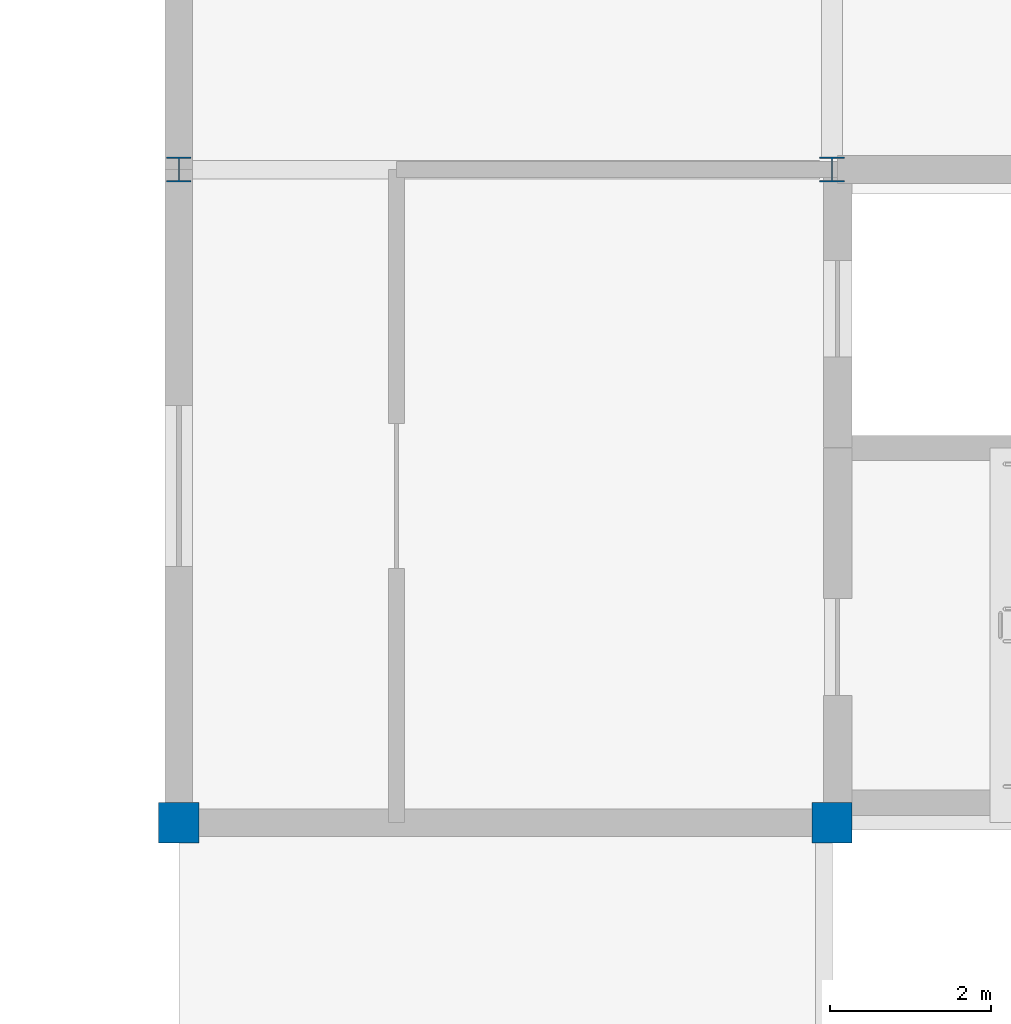
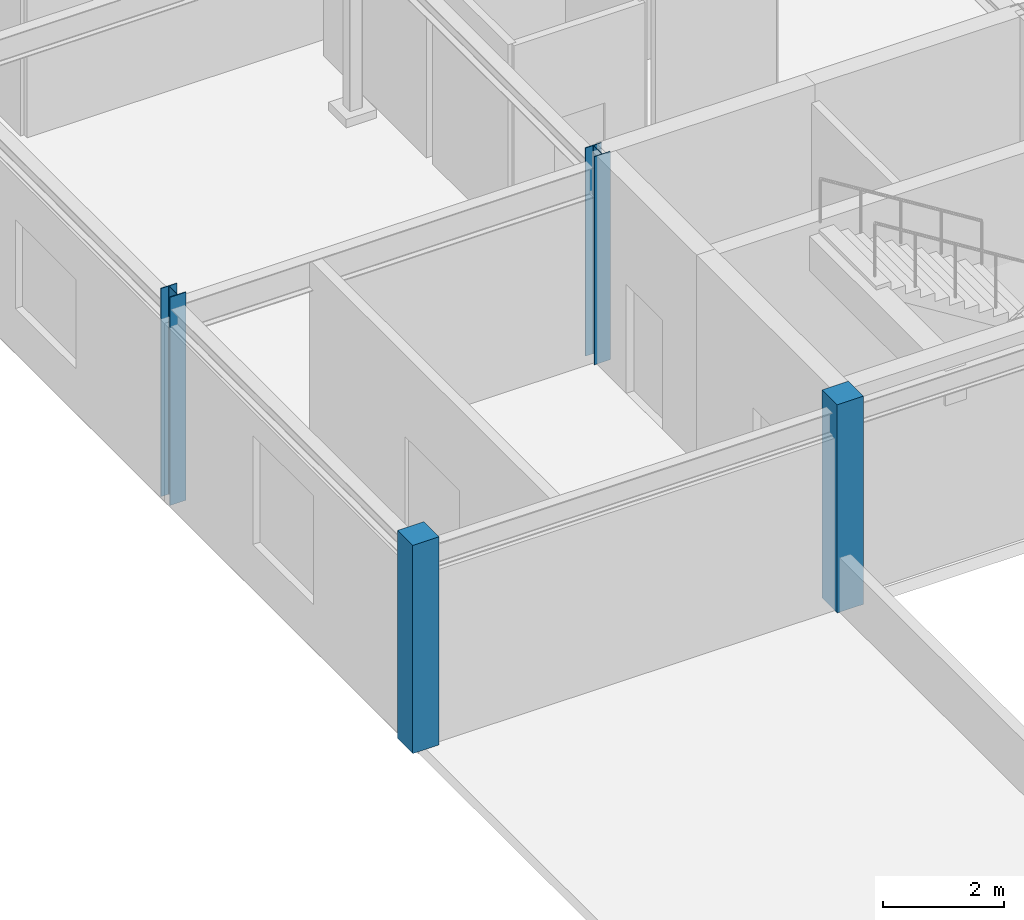
# One storey, part 4 of 54: 4 columns.
"""IFC4 building model written with IfcOpenShell, lengths in metres."""

from ifc_helpers import new_model, si_unit, direction, frame, origin, origin_2d, place, context, subcontext, project, spatial, rectangle, i_section, extrude, material, material_profile, profile_set, type_object, element, save


model = new_model("IFC4")

# Units and contexts
model_context = context("Model", 3, precision=1e-05, world=origin(), true_north=direction((0.0, 1.0)))
body_context = subcontext(model_context, "Body", "Model", "MODEL_VIEW")
ifc_project = project(units=[si_unit("LENGTHUNIT", "METRE"), si_unit("AREAUNIT", "SQUARE_METRE"), si_unit("VOLUMEUNIT", "CUBIC_METRE"), si_unit("PLANEANGLEUNIT", "RADIAN"), si_unit("MASSUNIT", "GRAM", prefix="KILO")], contexts=[model_context])

# Site, building, storey
site_placement = place(None, origin())
site = spatial("IfcSite", under=ifc_project, at=site_placement, CompositionType="ELEMENT")
building_placement = place(site_placement, origin())
building = spatial("IfcBuilding", under=site, at=building_placement, Name="Parian Resonance Hall", CompositionType="ELEMENT")
storey_placement = place(building_placement, frame((0.0, 0.0, 15.0)))
storey = spatial("IfcBuildingStorey", under=building, at=storey_placement, Name="L03", CompositionType="ELEMENT", Elevation=15.0)

# Columns
ifc_material_1 = material(Name="Concrete C40/50", Category="concrete")
ifc_material_profile_1 = material_profile(ifc_material_1, rectangle(XDim=0.5, YDim=0.5, at=origin_2d()), Name="RC-COL-500x500")
ifc_profile_set_1 = profile_set([ifc_material_profile_1], Name="Concrete C40/50")
column_type_1 = type_object("IfcColumnType", Name="COL-RC500", PredefinedType="COLUMN", material=ifc_profile_set_1)
for number, where, z_axis, x_axis, name in (
    (1, (113.39990234375, 48.60009765625, 0.0), (0.0, 0.0, 1.0), (1.0, 0.0, 0.0), "Column G15-07 L03"),
    (2, (121.5, 48.60009765625, 0.0), (0.0, 0.0, 1.0), (1.0, 0.0, 0.0), "Column G16-07 L03"),
):
    element("IfcColumn", number, at=place(storey_placement, frame(where, z_axis=z_axis, x_axis=x_axis)), inside=storey, type_object=column_type_1, Name=name, PredefinedType="COLUMN", context=body_context, shape_type="SweptSolid", body=[
        extrude(rectangle(XDim=0.5, YDim=0.5, at=origin_2d()), origin(), (0.0, 0.0, 1.0), 4.199951171875),
    ])
ifc_material_2 = material(Name="Steel S355", Category="steel")
ifc_material_profile_2 = material_profile(ifc_material_2, i_section(OverallWidth=0.304931640625, OverallDepth=0.30810546875, WebThickness=0.010009765625, FlangeThickness=0.015380859375, FilletRadius=0.01513671875, at=origin_2d()), Name="W310x97")
ifc_profile_set_2 = profile_set([ifc_material_profile_2], Name="Steel S355")
column_type_2 = type_object("IfcColumnType", Name="COL-W310", PredefinedType="COLUMN", material=ifc_profile_set_2)
for number, where, z_axis, x_axis, name in (
    (3, (113.39990234375, 56.699951171875, 0.0), (0.0, 0.0, 1.0), (1.0, 0.0, 0.0), "Column G15-08 L03"),
    (4, (121.5, 56.699951171875, 0.0), (0.0, 0.0, 1.0), (1.0, 0.0, 0.0), "Column G16-08 L03"),
):
    element("IfcColumn", number, at=place(storey_placement, frame(where, z_axis=z_axis, x_axis=x_axis)), inside=storey, type_object=column_type_2, Name=name, PredefinedType="COLUMN", context=body_context, shape_type="SweptSolid", body=[
        extrude(i_section(OverallWidth=0.304931640625, OverallDepth=0.30810546875, WebThickness=0.010009765625, FlangeThickness=0.015380859375, FilletRadius=0.01513671875, at=origin_2d()), origin(), (0.0, 0.0, 1.0), 4.199951171875),
    ])

save(model, "model.ifc")
